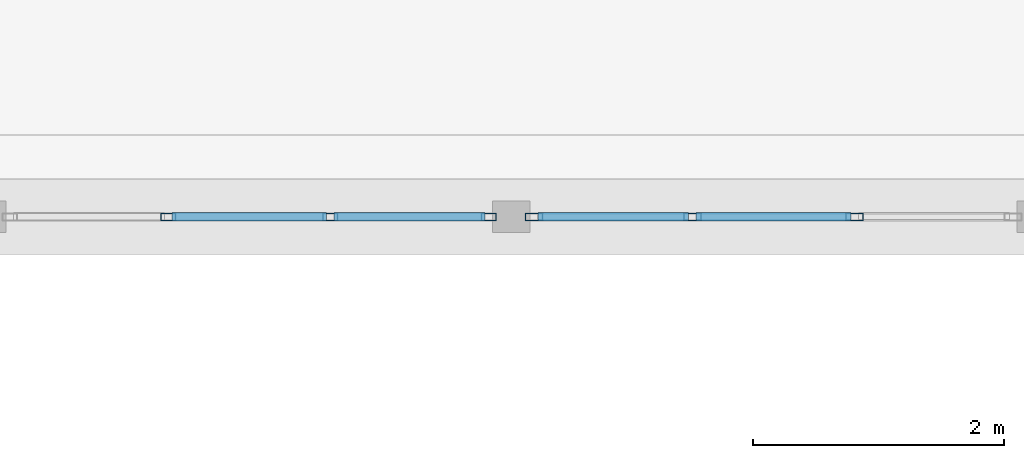
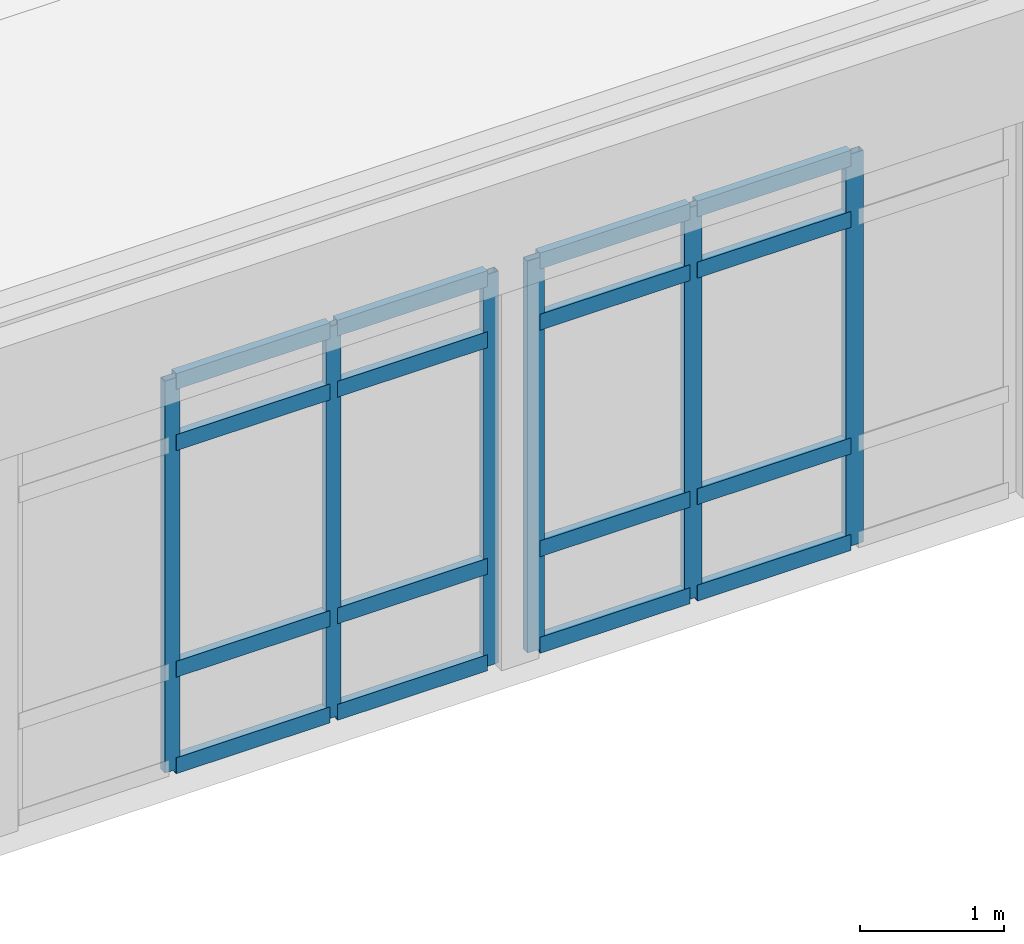
# One storey, part 49 of 109: 22 members, 2 elements without a shape of their own.
"""IFC4 building model written with IfcOpenShell, lengths in metres."""

from ifc_helpers import new_model, si_unit, direction, frame, origin, origin_2d, place, context, subcontext, project, spatial, hollow_rectangle, extrude, material, layer, layer_set, material_profile, profile_set, type_object, element, aggregate, save


model = new_model("IFC4")

# Units and contexts
model_context = context("Model", 3, precision=1e-05, world=origin(), true_north=direction((0.0, 1.0)))
body_context = subcontext(model_context, "Body", "Model", "MODEL_VIEW")
ifc_project = project(units=[si_unit("LENGTHUNIT", "METRE"), si_unit("AREAUNIT", "SQUARE_METRE"), si_unit("VOLUMEUNIT", "CUBIC_METRE"), si_unit("PLANEANGLEUNIT", "RADIAN"), si_unit("MASSUNIT", "GRAM", prefix="KILO")], contexts=[model_context])

# Site, building, storey
site_placement = place(None, origin())
site = spatial("IfcSite", under=ifc_project, at=site_placement, CompositionType="ELEMENT")
building_placement = place(site_placement, origin())
building = spatial("IfcBuilding", under=site, at=building_placement, Name="Fikremerkos Civic Library", CompositionType="ELEMENT")
storey_placement = place(building_placement, frame((0.0, 0.0, 5.39990234375)))
storey = spatial("IfcBuildingStorey", under=building, at=storey_placement, Name="L01", CompositionType="ELEMENT", Elevation=5.39990234375)

# Curtain wall, members
ifc_material = material(Name="Anodized aluminium Frame", Category="aluminium")
ifc_layer_1 = layer(ifc_material, 0.159912109375, Name="Anodized aluminium Frame")
ifc_layer_set_1 = layer_set([ifc_layer_1], Name="Anodized aluminium Frame")
curtain_wall_type_1 = type_object("IfcCurtainWallType", Name="Unitised curtain wall CW-11 3200x3400", PredefinedType="USERDEFINED", material=ifc_layer_set_1)
curtain_wall_1_placement = place(storey_placement, origin())
curtain_wall_1 = element("IfcCurtainWall", 1, at=curtain_wall_1_placement, inside=storey, type_object=curtain_wall_type_1, Name="Unitised curtain wall CW-11 L01 #119", ObjectType="UNITISED CURTAIN WALL", PredefinedType="USERDEFINED")
ifc_material_profile_1 = material_profile(ifc_material, hollow_rectangle(XDim=0.06005859375, YDim=0.139892578125, WallThickness=0.00390625, at=origin_2d()), Name="ALU 140x60x4")
ifc_profile_set_1 = profile_set([ifc_material_profile_1], Name="Anodized aluminium Frame")
member_type_1 = type_object("IfcMemberType", Name="Curtain mullion CWM-03 ALU 140x60x4", PredefinedType="MULLION", material=ifc_profile_set_1)
member_1_placement = place(storey_placement, frame((111.7099609375, 96.0, 0.0), z_axis=(0.0, 0.0, 1.0), x_axis=(0.0, -1.0, 0.0)))
member_1 = element("IfcMember", 2, at=member_1_placement, type_object=member_type_1, Name="CW-11 mullion 2", PredefinedType="MULLION", context=body_context, shape_type="SweptSolid", body=[
    extrude(hollow_rectangle(XDim=0.06005859375, YDim=0.139892578125, WallThickness=0.00390625, at=origin_2d()), origin(), (0.0, 0.0, 1.0), 3.320068359375),
])
member_2_placement = place(storey_placement, frame((110.417724609375, 96.0, 0.0), z_axis=(0.0, 0.0, 1.0), x_axis=(0.0, -1.0, 0.0)))
member_2 = element("IfcMember", 3, at=member_2_placement, type_object=member_type_1, Name="CW-11 mullion 3", PredefinedType="MULLION", context=body_context, shape_type="SweptSolid", body=[
    extrude(hollow_rectangle(XDim=0.06005859375, YDim=0.139892578125, WallThickness=0.00390625, at=origin_2d()), origin(), (0.0, 0.0, 1.0), 3.320068359375),
])
member_3_placement = place(storey_placement, frame((109.15576171875, 96.0, 0.0), z_axis=(0.0, 0.0, 1.0), x_axis=(0.0, -1.0, 0.0)))
member_3 = element("IfcMember", 4, at=member_3_placement, type_object=member_type_1, Name="CW-11 mullion 4", PredefinedType="MULLION", context=body_context, shape_type="SweptSolid", body=[
    extrude(hollow_rectangle(XDim=0.06005859375, YDim=0.139892578125, WallThickness=0.00390625, at=origin_2d()), origin(), (0.0, 0.0, 1.0), 3.320068359375),
])

ifc_layer_2 = layer(ifc_material, 0.159912109375, Name="Anodized aluminium Frame")
ifc_layer_set_2 = layer_set([ifc_layer_2], Name="Anodized aluminium Frame")
curtain_wall_type_2 = type_object("IfcCurtainWallType", Name="Unitised curtain wall CW-12 4300x3400", PredefinedType="USERDEFINED", material=ifc_layer_set_2)
curtain_wall_2_placement = place(storey_placement, origin())
curtain_wall_2 = element("IfcCurtainWall", 5, at=curtain_wall_2_placement, inside=storey, type_object=curtain_wall_type_2, Name="Unitised curtain wall CW-12 L01 #120", ObjectType="UNITISED CURTAIN WALL", PredefinedType="USERDEFINED")
ifc_material_profile_2 = material_profile(ifc_material, hollow_rectangle(XDim=0.06005859375, YDim=0.1201171875, WallThickness=0.00390625, at=origin_2d()), Name="ALU 120x60x4")
ifc_profile_set_2 = profile_set([ifc_material_profile_2], Name="Anodized aluminium Frame")
member_type_2 = type_object("IfcMemberType", Name="Curtain mullion CWM-04 ALU 120x60x4", PredefinedType="MULLION", material=ifc_profile_set_2)
member_4_placement = place(storey_placement, frame((108.795654296875, 96.0, 0.0), z_axis=(0.0, 0.0, 1.0), x_axis=(0.0, -1.0, 0.0)))
member_4 = element("IfcMember", 6, at=member_4_placement, type_object=member_type_2, Name="CW-12 mullion 1", PredefinedType="MULLION", context=body_context, shape_type="SweptSolid", body=[
    extrude(hollow_rectangle(XDim=0.06005859375, YDim=0.1201171875, WallThickness=0.00390625, at=origin_2d()), origin(), (0.0, 0.0, 1.0), 3.320068359375),
])
member_5_placement = place(storey_placement, frame((107.533447265625, 96.0, 0.0), z_axis=(0.0, 0.0, 1.0), x_axis=(0.0, -1.0, 0.0)))
member_5 = element("IfcMember", 7, at=member_5_placement, type_object=member_type_2, Name="CW-12 mullion 2", PredefinedType="MULLION", context=body_context, shape_type="SweptSolid", body=[
    extrude(hollow_rectangle(XDim=0.06005859375, YDim=0.1201171875, WallThickness=0.00390625, at=origin_2d()), origin(), (0.0, 0.0, 1.0), 3.320068359375),
])
member_6_placement = place(storey_placement, frame((106.241455078125, 96.0, 0.0), z_axis=(0.0, 0.0, 1.0), x_axis=(0.0, -1.0, 0.0)))
member_6 = element("IfcMember", 8, at=member_6_placement, type_object=member_type_2, Name="CW-12 mullion 3", PredefinedType="MULLION", context=body_context, shape_type="SweptSolid", body=[
    extrude(hollow_rectangle(XDim=0.06005859375, YDim=0.1201171875, WallThickness=0.00390625, at=origin_2d()), origin(), (0.0, 0.0, 1.0), 3.320068359375),
])

# Member
ifc_material_profile_3 = material_profile(ifc_material, hollow_rectangle(XDim=0.06494140625, YDim=0.135009765625, WallThickness=0.00439453125, at=origin_2d()), Name="ALU 135x65x4.5")
ifc_profile_set_3 = profile_set([ifc_material_profile_3], Name="Anodized aluminium Frame")
member_type_3 = type_object("IfcMemberType", Name="Curtain transom CWT-02 ALU 135x65x4.5", PredefinedType="USERDEFINED", material=ifc_profile_set_3)
member_7_placement = place(storey_placement, frame((111.679931640625, 96.0, 0.03271484375), z_axis=(-1.0, 0.0, 0.0), x_axis=(0.0, -1.0, 0.0)))
member_7 = element("IfcMember", 9, at=member_7_placement, type_object=member_type_3, Name="CW-11 transom 2.1", ObjectType="TRANSOM", PredefinedType="USERDEFINED", context=body_context, shape_type="SweptSolid", body=[
    extrude(hollow_rectangle(XDim=0.06494140625, YDim=0.135009765625, WallThickness=0.00439453125, at=origin_2d()), origin(), (0.0, 0.0, 1.0), 1.232177734375),
])

member_8_placement = place(storey_placement, frame((111.679931640625, 96.0, 0.85009765625), z_axis=(-1.0, 0.0, 0.0), x_axis=(0.0, -1.0, 0.0)))
member_8 = element("IfcMember", 10, at=member_8_placement, type_object=member_type_3, Name="CW-11 transom 2.2", ObjectType="TRANSOM", PredefinedType="USERDEFINED", context=body_context, shape_type="SweptSolid", body=[
    extrude(hollow_rectangle(XDim=0.06494140625, YDim=0.135009765625, WallThickness=0.00439453125, at=origin_2d()), origin(), (0.0, 0.0, 1.0), 1.232177734375),
])

member_9_placement = place(storey_placement, frame((111.679931640625, 96.0, 2.77001953125), z_axis=(-1.0, 0.0, 0.0), x_axis=(0.0, -1.0, 0.0)))
member_9 = element("IfcMember", 11, at=member_9_placement, type_object=member_type_3, Name="CW-11 transom 2.3", ObjectType="TRANSOM", PredefinedType="USERDEFINED", context=body_context, shape_type="SweptSolid", body=[
    extrude(hollow_rectangle(XDim=0.06494140625, YDim=0.135009765625, WallThickness=0.00439453125, at=origin_2d()), origin(), (0.0, 0.0, 1.0), 1.232177734375),
])

member_10_placement = place(storey_placement, frame((111.679931640625, 96.0, 3.28759765625), z_axis=(-1.0, 0.0, 0.0), x_axis=(0.0, -1.0, 0.0)))
member_10 = element("IfcMember", 12, at=member_10_placement, type_object=member_type_3, Name="CW-11 transom 2.4", ObjectType="TRANSOM", PredefinedType="USERDEFINED", context=body_context, shape_type="SweptSolid", body=[
    extrude(hollow_rectangle(XDim=0.06494140625, YDim=0.135009765625, WallThickness=0.00439453125, at=origin_2d()), origin(), (0.0, 0.0, 1.0), 1.232177734375),
])

member_11_placement = place(storey_placement, frame((110.3876953125, 96.0, 0.03271484375), z_axis=(-1.0, 0.0, 0.0), x_axis=(0.0, -1.0, 0.0)))
member_11 = element("IfcMember", 13, at=member_11_placement, type_object=member_type_3, Name="CW-11 transom 3.1", ObjectType="TRANSOM", PredefinedType="USERDEFINED", context=body_context, shape_type="SweptSolid", body=[
    extrude(hollow_rectangle(XDim=0.06494140625, YDim=0.135009765625, WallThickness=0.00439453125, at=origin_2d()), origin(), (0.0, 0.0, 1.0), 1.201904296875),
])

member_12_placement = place(storey_placement, frame((110.3876953125, 96.0, 0.85009765625), z_axis=(-1.0, 0.0, 0.0), x_axis=(0.0, -1.0, 0.0)))
member_12 = element("IfcMember", 14, at=member_12_placement, type_object=member_type_3, Name="CW-11 transom 3.2", ObjectType="TRANSOM", PredefinedType="USERDEFINED", context=body_context, shape_type="SweptSolid", body=[
    extrude(hollow_rectangle(XDim=0.06494140625, YDim=0.135009765625, WallThickness=0.00439453125, at=origin_2d()), origin(), (0.0, 0.0, 1.0), 1.201904296875),
])

member_13_placement = place(storey_placement, frame((110.3876953125, 96.0, 2.77001953125), z_axis=(-1.0, 0.0, 0.0), x_axis=(0.0, -1.0, 0.0)))
member_13 = element("IfcMember", 15, at=member_13_placement, type_object=member_type_3, Name="CW-11 transom 3.3", ObjectType="TRANSOM", PredefinedType="USERDEFINED", context=body_context, shape_type="SweptSolid", body=[
    extrude(hollow_rectangle(XDim=0.06494140625, YDim=0.135009765625, WallThickness=0.00439453125, at=origin_2d()), origin(), (0.0, 0.0, 1.0), 1.201904296875),
])

member_14_placement = place(storey_placement, frame((110.3876953125, 96.0, 3.28759765625), z_axis=(-1.0, 0.0, 0.0), x_axis=(0.0, -1.0, 0.0)))
member_14 = element("IfcMember", 16, at=member_14_placement, type_object=member_type_3, Name="CW-11 transom 3.4", ObjectType="TRANSOM", PredefinedType="USERDEFINED", context=body_context, shape_type="SweptSolid", body=[
    extrude(hollow_rectangle(XDim=0.06494140625, YDim=0.135009765625, WallThickness=0.00439453125, at=origin_2d()), origin(), (0.0, 0.0, 1.0), 1.201904296875),
])

aggregate(curtain_wall_1, [member_1, member_2, member_3, member_7, member_8, member_9, member_10, member_11, member_12, member_13, member_14])

member_15_placement = place(storey_placement, frame((108.765625, 96.0, 0.03271484375), z_axis=(-1.0, 0.0, 0.0), x_axis=(0.0, -1.0, 0.0)))
member_15 = element("IfcMember", 17, at=member_15_placement, type_object=member_type_3, Name="CW-12 transom 1.1", ObjectType="TRANSOM", PredefinedType="USERDEFINED", context=body_context, shape_type="SweptSolid", body=[
    extrude(hollow_rectangle(XDim=0.06494140625, YDim=0.135009765625, WallThickness=0.00439453125, at=origin_2d()), origin(), (0.0, 0.0, 1.0), 1.2021484375),
])

member_16_placement = place(storey_placement, frame((108.765625, 96.0, 0.85009765625), z_axis=(-1.0, 0.0, 0.0), x_axis=(0.0, -1.0, 0.0)))
member_16 = element("IfcMember", 18, at=member_16_placement, type_object=member_type_3, Name="CW-12 transom 1.2", ObjectType="TRANSOM", PredefinedType="USERDEFINED", context=body_context, shape_type="SweptSolid", body=[
    extrude(hollow_rectangle(XDim=0.06494140625, YDim=0.135009765625, WallThickness=0.00439453125, at=origin_2d()), origin(), (0.0, 0.0, 1.0), 1.2021484375),
])

member_17_placement = place(storey_placement, frame((108.765625, 96.0, 2.77001953125), z_axis=(-1.0, 0.0, 0.0), x_axis=(0.0, -1.0, 0.0)))
member_17 = element("IfcMember", 19, at=member_17_placement, type_object=member_type_3, Name="CW-12 transom 1.3", ObjectType="TRANSOM", PredefinedType="USERDEFINED", context=body_context, shape_type="SweptSolid", body=[
    extrude(hollow_rectangle(XDim=0.06494140625, YDim=0.135009765625, WallThickness=0.00439453125, at=origin_2d()), origin(), (0.0, 0.0, 1.0), 1.2021484375),
])

member_18_placement = place(storey_placement, frame((108.765625, 96.0, 3.28759765625), z_axis=(-1.0, 0.0, 0.0), x_axis=(0.0, -1.0, 0.0)))
member_18 = element("IfcMember", 20, at=member_18_placement, type_object=member_type_3, Name="CW-12 transom 1.4", ObjectType="TRANSOM", PredefinedType="USERDEFINED", context=body_context, shape_type="SweptSolid", body=[
    extrude(hollow_rectangle(XDim=0.06494140625, YDim=0.135009765625, WallThickness=0.00439453125, at=origin_2d()), origin(), (0.0, 0.0, 1.0), 1.2021484375),
])

member_19_placement = place(storey_placement, frame((107.503662109375, 96.0, 0.03271484375), z_axis=(-1.0, 0.0, 0.0), x_axis=(0.0, -1.0, 0.0)))
member_19 = element("IfcMember", 21, at=member_19_placement, type_object=member_type_3, Name="CW-12 transom 2.1", ObjectType="TRANSOM", PredefinedType="USERDEFINED", context=body_context, shape_type="SweptSolid", body=[
    extrude(hollow_rectangle(XDim=0.06494140625, YDim=0.135009765625, WallThickness=0.00439453125, at=origin_2d()), origin(), (0.0, 0.0, 1.0), 1.232177734375),
])

member_20_placement = place(storey_placement, frame((107.503662109375, 96.0, 0.85009765625), z_axis=(-1.0, 0.0, 0.0), x_axis=(0.0, -1.0, 0.0)))
member_20 = element("IfcMember", 22, at=member_20_placement, type_object=member_type_3, Name="CW-12 transom 2.2", ObjectType="TRANSOM", PredefinedType="USERDEFINED", context=body_context, shape_type="SweptSolid", body=[
    extrude(hollow_rectangle(XDim=0.06494140625, YDim=0.135009765625, WallThickness=0.00439453125, at=origin_2d()), origin(), (0.0, 0.0, 1.0), 1.232177734375),
])

member_21_placement = place(storey_placement, frame((107.503662109375, 96.0, 2.77001953125), z_axis=(-1.0, 0.0, 0.0), x_axis=(0.0, -1.0, 0.0)))
member_21 = element("IfcMember", 23, at=member_21_placement, type_object=member_type_3, Name="CW-12 transom 2.3", ObjectType="TRANSOM", PredefinedType="USERDEFINED", context=body_context, shape_type="SweptSolid", body=[
    extrude(hollow_rectangle(XDim=0.06494140625, YDim=0.135009765625, WallThickness=0.00439453125, at=origin_2d()), origin(), (0.0, 0.0, 1.0), 1.232177734375),
])

member_22_placement = place(storey_placement, frame((107.503662109375, 96.0, 3.28759765625), z_axis=(-1.0, 0.0, 0.0), x_axis=(0.0, -1.0, 0.0)))
member_22 = element("IfcMember", 24, at=member_22_placement, type_object=member_type_3, Name="CW-12 transom 2.4", ObjectType="TRANSOM", PredefinedType="USERDEFINED", context=body_context, shape_type="SweptSolid", body=[
    extrude(hollow_rectangle(XDim=0.06494140625, YDim=0.135009765625, WallThickness=0.00439453125, at=origin_2d()), origin(), (0.0, 0.0, 1.0), 1.232177734375),
])

aggregate(curtain_wall_2, [member_4, member_5, member_6, member_15, member_16, member_17, member_18, member_19, member_20, member_21, member_22])

save(model, "model.ifc")
